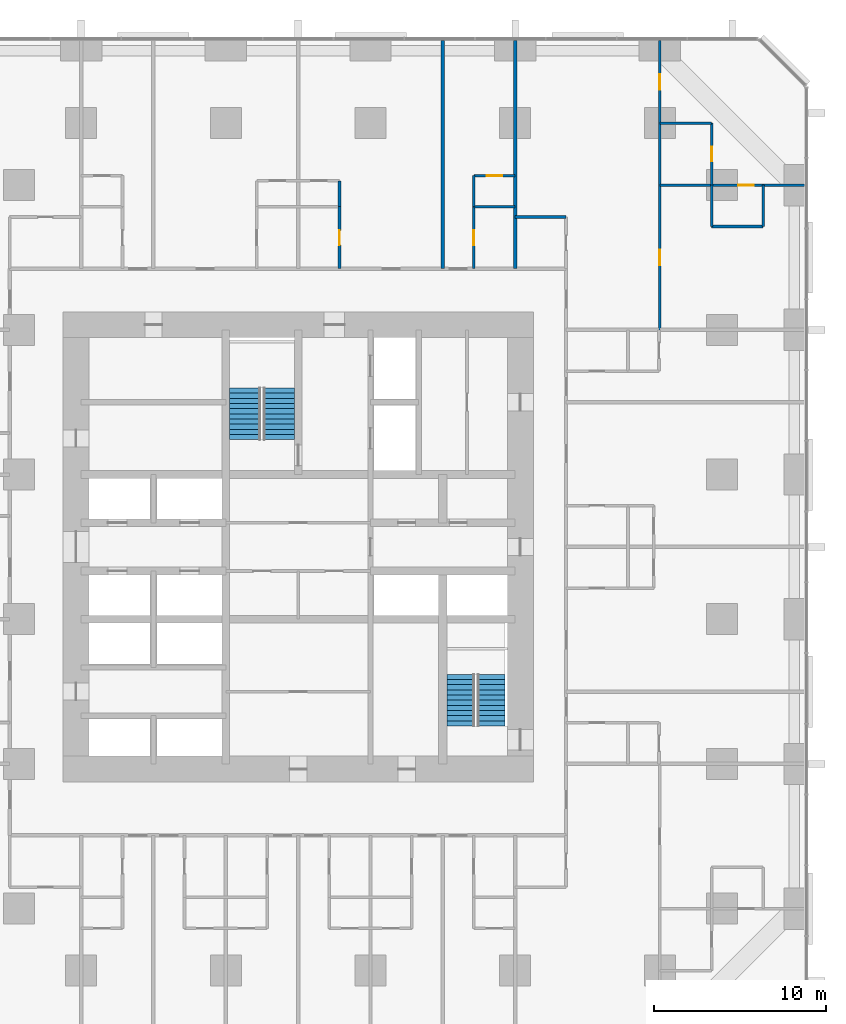
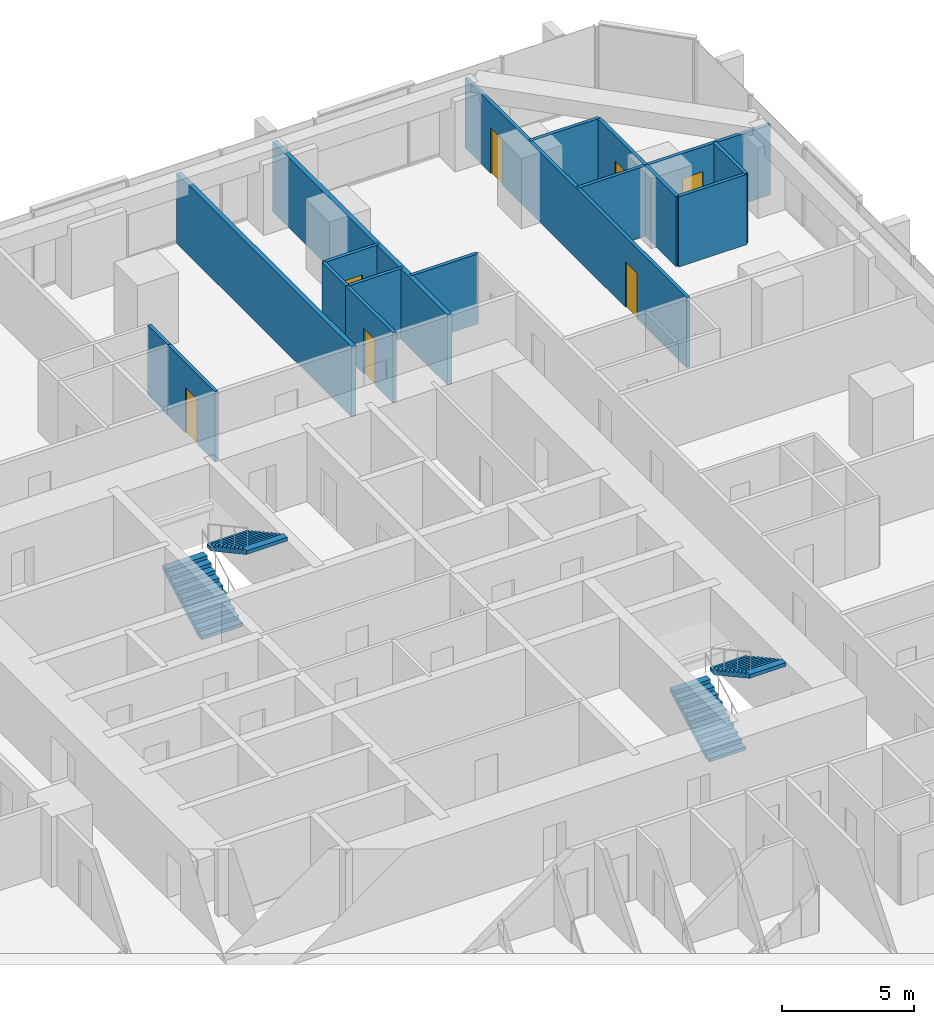
# One storey, part 16 of 17: 16 walls, 7 doors, 4 stair flights, 7 openings, 2 elements without a shape of their own.
"""IFC4 building model written with IfcOpenShell, lengths in metres."""

from ifc_helpers import new_model, si_unit, direction, frame, frame_2d, origin, place, context, subcontext, project, spatial, polyline, rectangle, outline, extrude, material, layer, layer_set, type_object, element, fill, aggregate, save


model = new_model("IFC4")

# Units and contexts
model_context = context("Model", 3, precision=1e-05, world=origin(), true_north=direction((0.0, 1.0)))
body_context = subcontext(model_context, "Body", "Model", "MODEL_VIEW")
ifc_project = project(units=[si_unit("LENGTHUNIT", "METRE"), si_unit("AREAUNIT", "SQUARE_METRE"), si_unit("VOLUMEUNIT", "CUBIC_METRE"), si_unit("PLANEANGLEUNIT", "RADIAN"), si_unit("MASSUNIT", "GRAM", prefix="KILO")], contexts=[model_context])

# Site, building, storey
site_placement = place(None, origin())
site = spatial("IfcSite", under=ifc_project, at=site_placement, CompositionType="ELEMENT")
building_placement = place(site_placement, origin())
building = spatial("IfcBuilding", under=site, at=building_placement, Name="Dunama Terrace Hotel", CompositionType="ELEMENT")
storey_placement = place(building_placement, frame((0.0, 0.0, 73.800048828125)))
storey = spatial("IfcBuildingStorey", under=building, at=storey_placement, Name="L18", CompositionType="ELEMENT", Elevation=73.800048828125)

# Wall, opening, door
ifc_material_1 = material(Name="Gypsum board partition", Category="masonry")
ifc_layer_1 = layer(ifc_material_1, 0.14990234375)
ifc_layer_set_1 = layer_set([ifc_layer_1], Name="Bathroom partition 150")
wall_type_1 = type_object("IfcWallType", Name="Bathroom partition 150", PredefinedType="PARTITIONING", material=ifc_layer_set_1)
wall_1_placement = place(storey_placement, frame((31.800048828125, 45.550048828125, 0.0), z_axis=(0.0, 0.0, 1.0), x_axis=(0.0, 1.0, 0.0)))
wall_1 = element("IfcWall", 1, at=wall_1_placement, inside=storey, type_object=wall_type_1, Name="Bathroom partition 150 L18", PredefinedType="PARTITIONING", context=body_context, shape_type="SweptSolid", body=[
    extrude(rectangle(XDim=3.599853515625, YDim=0.14990234375, at=frame_2d((1.7998046875, 0.0))), origin(), (0.0, 0.0, 1.0), 3.25),
])
opening_1_placement = place(wall_1_placement, frame((1.375, 0.0, 0.0)))
opening_1 = element("IfcOpeningElement", 2, at=opening_1_placement, cuts=wall_1, Name="Opening L17-19-046", PredefinedType="OPENING", context=body_context, shape_type="SweptSolid", body=[
    extrude(rectangle(XDim=0.85009765625, YDim=2.10009765625, at=frame_2d((0.425048828125, 1.050048828125))), frame((0.0, 0.0849609375, 0.0), z_axis=(0.0, -1.0, 0.0), x_axis=(1.0, 0.0, 0.0)), (0.0, 0.0, 1.0), 0.169921875),
])
ifc_material_2 = material(Name="Timber door with steel frame", Category="steel")
door_type_1 = type_object("IfcDoorType", Name="Bathroom door 850", OperationType="SINGLE_SWING_LEFT", PredefinedType="DOOR", material=ifc_material_2)
door_1_placement = place(opening_1_placement, origin())
door_1 = element("IfcDoor", 3, at=door_1_placement, inside=storey, type_object=door_type_1, Name="Door to en-suite bathroom L17-19-046, type D2", OperationType="SINGLE_SWING_LEFT", OverallHeight=2.10009765625, OverallWidth=0.85009765625, PredefinedType="DOOR", context=body_context, shape_type="SweptSolid", body=[
    extrude(rectangle(XDim=0.85009765625, YDim=2.10009765625, at=frame_2d((0.425048828125, 1.050048828125))), frame((0.0, 0.02490234375, 0.0), z_axis=(0.0, -1.0, 0.0), x_axis=(1.0, 0.0, 0.0)), (0.0, 0.0, 1.0), 0.050048828125),
])
fill(opening_1, door_1)

wall_2_placement = place(storey_placement, frame((39.60009765625, 45.550048828125, 0.0), z_axis=(0.0, 0.0, 1.0), x_axis=(0.0, 1.0, 0.0)))
wall_2 = element("IfcWall", 4, at=wall_2_placement, inside=storey, type_object=wall_type_1, Name="Bathroom partition 150 L18", PredefinedType="PARTITIONING", context=body_context, shape_type="SweptSolid", body=[
    extrude(rectangle(XDim=3.599853515625, YDim=0.14990234375, at=frame_2d((1.7998046875, 0.0))), origin(), (0.0, 0.0, 1.0), 3.25),
])
opening_2_placement = place(wall_2_placement, frame((1.375, 0.0, 0.0)))
opening_2 = element("IfcOpeningElement", 5, at=opening_2_placement, cuts=wall_2, Name="Opening L17-19-049", PredefinedType="OPENING", context=body_context, shape_type="SweptSolid", body=[
    extrude(rectangle(XDim=0.85009765625, YDim=2.10009765625, at=frame_2d((0.425048828125, 1.050048828125))), frame((0.0, 0.0849609375, 0.0), z_axis=(0.0, -1.0, 0.0), x_axis=(1.0, 0.0, 0.0)), (0.0, 0.0, 1.0), 0.169921875),
])
door_2_placement = place(opening_2_placement, frame((0.85009765625, 0.0, 0.0), z_axis=(0.0, 0.0, 1.0), x_axis=(-1.0, 0.0, 0.0)))
door_2 = element("IfcDoor", 6, at=door_2_placement, inside=storey, type_object=door_type_1, Name="Door to en-suite bathroom L17-19-049, type D2", OperationType="SINGLE_SWING_RIGHT", OverallHeight=2.10009765625, OverallWidth=0.85009765625, PredefinedType="DOOR", context=body_context, shape_type="SweptSolid", body=[
    extrude(rectangle(XDim=0.85009765625, YDim=2.10009765625, at=frame_2d((0.425048828125, 1.050048828125))), frame((0.0, 0.025146484375, 0.0), z_axis=(0.0, -1.0, 0.0), x_axis=(1.0, 0.0, 0.0)), (0.0, 0.0, 1.0), 0.050048828125),
])
fill(opening_2, door_2)

wall_3_placement = place(storey_placement, frame((53.39990234375, 50.39990234375, 0.0), z_axis=(0.0, 0.0, 1.0), x_axis=(0.0, 1.0, 0.0)))
wall_3 = element("IfcWall", 7, at=wall_3_placement, inside=storey, type_object=wall_type_1, Name="Bathroom partition 150 L18", PredefinedType="PARTITIONING", context=body_context, shape_type="SweptSolid", body=[
    extrude(rectangle(XDim=3.60009765625, YDim=0.14990234375, at=frame_2d((1.800048828125, 0.0))), origin(), (0.0, 0.0, 1.0), 3.25),
])
opening_3_placement = place(wall_3_placement, frame((1.375, 0.0, 0.0)))
opening_3 = element("IfcOpeningElement", 8, at=opening_3_placement, cuts=wall_3, Name="Opening L17-19-075", PredefinedType="OPENING", context=body_context, shape_type="SweptSolid", body=[
    extrude(rectangle(XDim=0.85009765625, YDim=2.10009765625, at=frame_2d((0.425048828125, 1.050048828125))), frame((0.0, 0.0849609375, 0.0), z_axis=(0.0, -1.0, 0.0), x_axis=(1.0, 0.0, 0.0)), (0.0, 0.0, 1.0), 0.169921875),
])
door_3_placement = place(opening_3_placement, origin())
door_3 = element("IfcDoor", 9, at=door_3_placement, inside=storey, type_object=door_type_1, Name="Door to en-suite bathroom L17-19-075, type D2", OperationType="SINGLE_SWING_LEFT", OverallHeight=2.10009765625, OverallWidth=0.85009765625, PredefinedType="DOOR", context=body_context, shape_type="SweptSolid", body=[
    extrude(rectangle(XDim=0.85009765625, YDim=2.10009765625, at=frame_2d((0.425048828125, 1.050048828125))), frame((0.0, 0.02490234375, 0.0), z_axis=(0.0, -1.0, 0.0), x_axis=(1.0, 0.0, 0.0)), (0.0, 0.0, 1.0), 0.050048828125),
])
fill(opening_3, door_3)

# Walls
wall_4_placement = place(storey_placement, frame((42.0, 48.550048828125, 0.0), z_axis=(0.0, 0.0, 1.0), x_axis=(1.0, 0.0, 0.0)))
element("IfcWall", 10, at=wall_4_placement, inside=storey, type_object=wall_type_1, Name="Bathroom partition 150 L18", PredefinedType="PARTITIONING", context=body_context, shape_type="SweptSolid", body=[
    extrude(rectangle(XDim=2.949951171875, YDim=0.14990234375, at=frame_2d((1.47509765625, 0.0))), origin(), (0.0, 0.0, 1.0), 3.25),
])
wall_5_placement = place(storey_placement, frame((50.39990234375, 54.0, 0.0), z_axis=(0.0, 0.0, 1.0), x_axis=(1.0, 0.0, 0.0)))
element("IfcWall", 11, at=wall_5_placement, inside=storey, type_object=wall_type_1, Name="Bathroom partition 150 L18", PredefinedType="PARTITIONING", context=body_context, shape_type="SweptSolid", body=[
    extrude(rectangle(XDim=3.0, YDim=0.14990234375, at=frame_2d((1.5, 0.0))), origin(), (0.0, 0.0, 1.0), 3.25),
])
ifc_material_3 = material(Name="Concrete blockwork", Category="masonry")
ifc_layer_2 = layer(ifc_material_3, 0.199951171875)
ifc_layer_set_2 = layer_set([ifc_layer_2], Name="Party wall 200")
wall_type_2 = type_object("IfcWallType", Name="Party wall 200", PredefinedType="PARTITIONING", material=ifc_layer_set_2)
for number, where, z_axis, x_axis, name in (
    (12, (37.800048828125, 45.550048828125, 0.0), (0.0, 0.0, 1.0), (0.0, 1.0, 0.0), "Party wall 200 L18"),
    (13, (42.0, 45.550048828125, 0.0), (0.0, 0.0, 1.0), (0.0, 1.0, 0.0), "Party wall 200 L18"),
):
    element("IfcWall", number, at=place(storey_placement, frame(where, z_axis=z_axis, x_axis=x_axis)), inside=storey, type_object=wall_type_2, Name=name, PredefinedType="PARTITIONING", context=body_context, shape_type="SweptSolid", body=[
        extrude(rectangle(XDim=13.258056640625, YDim=0.199951171875, at=frame_2d((6.62890625, 0.0))), origin(), (0.0, 0.0, 1.0), 3.25),
    ])
ifc_material_4 = material(Name="Gypsum board partition", Category="masonry")
ifc_layer_3 = layer(ifc_material_4, 0.14990234375)
ifc_layer_set_3 = layer_set([ifc_layer_3], Name="Room partition 150")
wall_type_3 = type_object("IfcWallType", Name="Room partition 150", PredefinedType="PARTITIONING", material=ifc_layer_set_3)
wall_6_placement = place(storey_placement, frame((31.800048828125, 49.14990234375, 0.0), z_axis=(0.0, 0.0, 1.0), x_axis=(0.0, 1.0, 0.0)))
element("IfcWall", 14, at=wall_6_placement, inside=storey, type_object=wall_type_3, Name="Room partition 150 L18", PredefinedType="PARTITIONING", context=body_context, shape_type="SweptSolid", body=[
    extrude(rectangle(XDim=1.5, YDim=0.14990234375, at=frame_2d((0.75, 0.0))), origin(), (0.0, 0.0, 1.0), 3.25),
])
wall_7_placement = place(storey_placement, frame((39.60009765625, 49.14990234375, 0.0), z_axis=(0.0, 0.0, 1.0), x_axis=(0.0, 1.0, 0.0)))
element("IfcWall", 15, at=wall_7_placement, inside=storey, type_object=wall_type_3, Name="Room partition 150 L18", PredefinedType="PARTITIONING", context=body_context, shape_type="SweptSolid", body=[
    extrude(rectangle(XDim=1.800048828125, YDim=0.14990234375, at=frame_2d((0.89990234375, 0.0))), origin(), (0.0, 0.0, 1.0), 3.25),
])

# Wall, openings, doors
wall_8_placement = place(storey_placement, frame((50.39990234375, 42.0, 0.0), z_axis=(0.0, 0.0, 1.0), x_axis=(0.0, 1.0, 0.0)))
wall_8 = element("IfcWall", 16, at=wall_8_placement, inside=storey, type_object=wall_type_3, Name="Room partition 150 L18", PredefinedType="PARTITIONING", context=body_context, shape_type="SweptSolid", body=[
    extrude(rectangle(XDim=16.80810546875, YDim=0.14990234375, at=frame_2d((8.404052734375, 0.0))), origin(), (0.0, 0.0, 1.0), 3.25),
])
opening_4_placement = place(wall_8_placement, frame((13.949951171875, 0.0, 0.0)))
opening_4 = element("IfcOpeningElement", 17, at=opening_4_placement, cuts=wall_8, Name="Opening L17-19-074", PredefinedType="OPENING", context=body_context, shape_type="SweptSolid", body=[
    extrude(rectangle(XDim=0.89990234375, YDim=2.10009765625, at=frame_2d((0.449951171875, 1.050048828125))), frame((0.0, 0.0849609375, 0.0), z_axis=(0.0, -1.0, 0.0), x_axis=(1.0, 0.0, 0.0)), (0.0, 0.0, 1.0), 0.169921875),
])
opening_5_placement = place(wall_8_placement, frame((3.75, 0.0, 0.0)))
opening_5 = element("IfcOpeningElement", 18, at=opening_5_placement, cuts=wall_8, Name="Opening L17-19-077", PredefinedType="OPENING", context=body_context, shape_type="SweptSolid", body=[
    extrude(rectangle(XDim=0.89990234375, YDim=2.10009765625, at=frame_2d((0.449951171875, 1.050048828125))), frame((0.0, 0.0849609375, 0.0), z_axis=(0.0, -1.0, 0.0), x_axis=(1.0, 0.0, 0.0)), (0.0, 0.0, 1.0), 0.169921875),
])
ifc_material_5 = material(Name="Timber door with steel frame", Category="steel")
door_type_2 = type_object("IfcDoorType", Name="Suite internal door 900", OperationType="SINGLE_SWING_LEFT", PredefinedType="DOOR", material=ifc_material_5)
door_4_placement = place(opening_4_placement, frame((0.89990234375, 0.0, 0.0), z_axis=(0.0, 0.0, 1.0), x_axis=(-1.0, 0.0, 0.0)))
door_4 = element("IfcDoor", 19, at=door_4_placement, inside=storey, type_object=door_type_2, Name="Door to corner suite bedroom L17-19-074, type D16", OperationType="SINGLE_SWING_LEFT", OverallHeight=2.10009765625, OverallWidth=0.89990234375, PredefinedType="DOOR", context=body_context, shape_type="SweptSolid", body=[
    extrude(rectangle(XDim=0.89990234375, YDim=2.10009765625, at=frame_2d((0.449951171875, 1.050048828125))), frame((0.0, 0.025146484375, 0.0), z_axis=(0.0, -1.0, 0.0), x_axis=(1.0, 0.0, 0.0)), (0.0, 0.0, 1.0), 0.050048828125),
])
fill(opening_4, door_4)
door_5_placement = place(opening_5_placement, frame((0.89990234375, 0.0, 0.0), z_axis=(0.0, 0.0, 1.0), x_axis=(-1.0, 0.0, 0.0)))
door_5 = element("IfcDoor", 20, at=door_5_placement, inside=storey, type_object=door_type_2, Name="Door to corner suite study L17-19-077, type D16", OperationType="SINGLE_SWING_LEFT", OverallHeight=2.10009765625, OverallWidth=0.89990234375, PredefinedType="DOOR", context=body_context, shape_type="SweptSolid", body=[
    extrude(rectangle(XDim=0.89990234375, YDim=2.10009765625, at=frame_2d((0.449951171875, 1.050048828125))), frame((0.0, 0.025146484375, 0.0), z_axis=(0.0, -1.0, 0.0), x_axis=(1.0, 0.0, 0.0)), (0.0, 0.0, 1.0), 0.050048828125),
])
fill(opening_5, door_5)

# Walls
for number, where, z_axis, x_axis, name in (
    (21, (53.39990234375, 48.0, 0.0), (0.0, 0.0, 1.0), (0.0, 1.0, 0.0), "Room partition 150 L18"),
    (22, (56.39990234375, 48.0, 0.0), (0.0, 0.0, 1.0), (0.0, 1.0, 0.0), "Room partition 150 L18"),
):
    element("IfcWall", number, at=place(storey_placement, frame(where, z_axis=z_axis, x_axis=x_axis)), inside=storey, type_object=wall_type_3, Name=name, PredefinedType="PARTITIONING", context=body_context, shape_type="SweptSolid", body=[
        extrude(rectangle(XDim=2.39990234375, YDim=0.14990234375, at=frame_2d((1.199951171875, 0.0))), origin(), (0.0, 0.0, 1.0), 3.25),
    ])
wall_9_placement = place(storey_placement, frame((53.39990234375, 48.0, 0.0), z_axis=(0.0, 0.0, 1.0), x_axis=(1.0, 0.0, 0.0)))
element("IfcWall", 23, at=wall_9_placement, inside=storey, type_object=wall_type_3, Name="Room partition 150 L18", PredefinedType="PARTITIONING", context=body_context, shape_type="SweptSolid", body=[
    extrude(rectangle(XDim=3.0, YDim=0.14990234375, at=frame_2d((1.5, 0.0))), origin(), (0.0, 0.0, 1.0), 3.25),
])
wall_10_placement = place(storey_placement, frame((39.60009765625, 49.14990234375, 0.0), z_axis=(0.0, 0.0, 1.0), x_axis=(1.0, 0.0, 0.0)))
element("IfcWall", 24, at=wall_10_placement, inside=storey, type_object=wall_type_3, Name="Room partition 150 L18", PredefinedType="PARTITIONING", context=body_context, shape_type="SweptSolid", body=[
    extrude(rectangle(XDim=2.39990234375, YDim=0.14990234375, at=frame_2d((1.199951171875, 0.0))), origin(), (0.0, 0.0, 1.0), 3.25),
])

# Wall, opening, door
wall_11_placement = place(storey_placement, frame((50.39990234375, 50.39990234375, 0.0), z_axis=(0.0, 0.0, 1.0), x_axis=(1.0, 0.0, 0.0)))
wall_11 = element("IfcWall", 25, at=wall_11_placement, inside=storey, type_object=wall_type_3, Name="Room partition 150 L18", PredefinedType="PARTITIONING", context=body_context, shape_type="SweptSolid", body=[
    extrude(rectangle(XDim=8.408203125, YDim=0.14990234375, at=frame_2d((4.2041015625, 0.0))), origin(), (0.0, 0.0, 1.0), 3.25),
])
opening_6_placement = place(wall_11_placement, frame((4.550048828125, 0.0, 0.0)))
opening_6 = element("IfcOpeningElement", 26, at=opening_6_placement, cuts=wall_11, Name="Opening L17-19-076", PredefinedType="OPENING", context=body_context, shape_type="SweptSolid", body=[
    extrude(rectangle(XDim=0.89990234375, YDim=2.10009765625, at=frame_2d((0.449951171875, 1.050048828125))), frame((0.0, 0.0849609375, 0.0), z_axis=(0.0, -1.0, 0.0), x_axis=(1.0, 0.0, 0.0)), (0.0, 0.0, 1.0), 0.169921875),
])
door_6_placement = place(opening_6_placement, frame((0.89990234375, 0.0, 0.0), z_axis=(0.0, 0.0, 1.0), x_axis=(-1.0, 0.0, 0.0)))
door_6 = element("IfcDoor", 27, at=door_6_placement, inside=storey, type_object=door_type_2, Name="Door to dressing room L17-19-076, type D16", OperationType="SINGLE_SWING_RIGHT", OverallHeight=2.10009765625, OverallWidth=0.89990234375, PredefinedType="DOOR", context=body_context, shape_type="SweptSolid", body=[
    extrude(rectangle(XDim=0.89990234375, YDim=2.10009765625, at=frame_2d((0.449951171875, 1.050048828125))), frame((0.0, 0.025146484375, 0.0), z_axis=(0.0, -1.0, 0.0), x_axis=(1.0, 0.0, 0.0)), (0.0, 0.0, 1.0), 0.050048828125),
])
fill(opening_6, door_6)

wall_12_placement = place(storey_placement, frame((39.60009765625, 50.949951171875, 0.0), z_axis=(0.0, 0.0, 1.0), x_axis=(1.0, 0.0, 0.0)))
wall_12 = element("IfcWall", 28, at=wall_12_placement, inside=storey, type_object=wall_type_3, Name="Room partition 150 L18", PredefinedType="PARTITIONING", context=body_context, shape_type="SweptSolid", body=[
    extrude(rectangle(XDim=2.39990234375, YDim=0.14990234375, at=frame_2d((1.199951171875, 0.0))), origin(), (0.0, 0.0, 1.0), 3.25),
])
opening_7_placement = place(wall_12_placement, frame((0.75, 0.0, 0.0)))
opening_7 = element("IfcOpeningElement", 29, at=opening_7_placement, cuts=wall_12, Name="Opening L17-19-050", PredefinedType="OPENING", context=body_context, shape_type="SweptSolid", body=[
    extrude(rectangle(XDim=0.89990234375, YDim=2.10009765625, at=frame_2d((0.449951171875, 1.050048828125))), frame((0.0, 0.0849609375, 0.0), z_axis=(0.0, -1.0, 0.0), x_axis=(1.0, 0.0, 0.0)), (0.0, 0.0, 1.0), 0.169921875),
])
door_7_placement = place(opening_7_placement, frame((0.89990234375, 0.0, 0.0), z_axis=(0.0, 0.0, 1.0), x_axis=(-1.0, 0.0, 0.0)))
door_7 = element("IfcDoor", 30, at=door_7_placement, inside=storey, type_object=door_type_2, Name="Door to walk-in wardrobe L17-19-050, type D16", OperationType="SINGLE_SWING_LEFT", OverallHeight=2.10009765625, OverallWidth=0.89990234375, PredefinedType="DOOR", context=body_context, shape_type="SweptSolid", body=[
    extrude(rectangle(XDim=0.89990234375, YDim=2.10009765625, at=frame_2d((0.449951171875, 1.050048828125))), frame((0.0, 0.025146484375, 0.0), z_axis=(0.0, -1.0, 0.0), x_axis=(1.0, 0.0, 0.0)), (0.0, 0.0, 1.0), 0.050048828125),
])
fill(opening_7, door_7)

# Stair, stair flights
ifc_material_6 = material(Name="Concrete C40/50", Category="concrete")
stair_type_1 = type_object("IfcStairType", Name="Stair ST1-3600-1800", PredefinedType="HALF_TURN_STAIR", material=ifc_material_6)
stair_1_placement = place(storey_placement, origin())
stair_1 = element("IfcStair", 31, at=stair_1_placement, inside=storey, type_object=stair_type_1, Name="Stair ST1 L18", PredefinedType="HALF_TURN_STAIR")
ifc_material_7 = material(Name="Concrete C40/50", Category="concrete")
stair_flight_type_1 = type_object("IfcStairFlightType", Name="Stair flight ST1-3600-1800", PredefinedType="STRAIGHT", material=ifc_material_7)
stair_flight_1_placement = place(storey_placement, frame((26.324951171875, 35.625, 0.0), z_axis=(0.0, 0.0, 1.0), x_axis=(0.0, 1.0, 0.0)))
stair_flight_1 = element("IfcStairFlight", 32, at=stair_flight_1_placement, type_object=stair_flight_type_1, Name="ST1 flight 1", NumberOfRisers=11, NumberOfTreads=10, PredefinedType="STRAIGHT", RiserHeight=0.163636364, TreadLength=0.3, context=body_context, shape_type="SweptSolid", body=[
    extrude(outline(polyline([(0.0, 0.0), (0.0, 0.16357421875), (0.300048828125, 0.16357421875), (0.300048828125, 0.327392578125), (0.60009765625, 0.327392578125), (0.60009765625, 0.490966796875), (0.89990234375, 0.490966796875), (0.89990234375, 0.654541015625), (1.199951171875, 0.654541015625), (1.199951171875, 0.818115234375), (1.5, 0.818115234375), (1.5, 0.98193359375), (1.800048828125, 0.98193359375), (1.800048828125, 1.1455078125), (2.10009765625, 1.1455078125), (2.10009765625, 1.30908203125), (2.39990234375, 1.30908203125), (2.39990234375, 1.47265625), (2.699951171875, 1.47265625), (2.699951171875, 1.636474609375), (3.0, 1.636474609375), (3.0, 1.800048828125), (3.0, 1.465576171875), (0.31298828125, 0.0), (0.0, 0.0)])), frame((0.0, 0.89990234375, 0.0), z_axis=(0.0, -1.0, 0.0), x_axis=(1.0, 0.0, 0.0)), (0.0, 0.0, 1.0), 1.800048828125),
])
stair_flight_2_placement = place(storey_placement, frame((28.27490234375, 38.625, 1.800048828125), z_axis=(0.0, 0.0, 1.0), x_axis=(0.0, -1.0, 0.0)))
stair_flight_2 = element("IfcStairFlight", 33, at=stair_flight_2_placement, type_object=stair_flight_type_1, Name="ST1 flight 2", NumberOfRisers=11, NumberOfTreads=10, PredefinedType="STRAIGHT", RiserHeight=0.163636364, TreadLength=0.3, context=body_context, shape_type="SweptSolid", body=[
    extrude(outline(polyline([(0.0, 0.0), (0.0, 0.16357421875), (0.300048828125, 0.16357421875), (0.300048828125, 0.327392578125), (0.60009765625, 0.327392578125), (0.60009765625, 0.490966796875), (0.89990234375, 0.490966796875), (0.89990234375, 0.654541015625), (1.199951171875, 0.654541015625), (1.199951171875, 0.818115234375), (1.5, 0.818115234375), (1.5, 0.98193359375), (1.800048828125, 0.98193359375), (1.800048828125, 1.1455078125), (2.10009765625, 1.1455078125), (2.10009765625, 1.30908203125), (2.39990234375, 1.30908203125), (2.39990234375, 1.47265625), (2.699951171875, 1.47265625), (2.699951171875, 1.636474609375), (3.0, 1.636474609375), (3.0, 1.800048828125), (3.0, 1.465576171875), (0.31298828125, 0.0), (0.0, 0.0)])), frame((0.0, 0.89990234375, 0.0), z_axis=(0.0, -1.0, 0.0), x_axis=(1.0, 0.0, 0.0)), (0.0, 0.0, 1.0), 1.800048828125),
])
aggregate(stair_1, [stair_flight_1, stair_flight_2])

ifc_material_8 = material(Name="Concrete C40/50", Category="concrete")
stair_type_2 = type_object("IfcStairType", Name="Stair ST2-3600-1600", PredefinedType="HALF_TURN_STAIR", material=ifc_material_8)
stair_2_placement = place(storey_placement, origin())
stair_2 = element("IfcStair", 34, at=stair_2_placement, inside=storey, type_object=stair_type_2, Name="Stair ST2 L18", PredefinedType="HALF_TURN_STAIR")
ifc_material_9 = material(Name="Concrete C40/50", Category="concrete")
stair_flight_type_2 = type_object("IfcStairFlightType", Name="Stair flight ST2-3600-1600", PredefinedType="STRAIGHT", material=ifc_material_9)
stair_flight_3_placement = place(storey_placement, frame((38.85009765625, 19.0, 0.0), z_axis=(0.0, 0.0, 1.0), x_axis=(0.0, 1.0, 0.0)))
stair_flight_3 = element("IfcStairFlight", 35, at=stair_flight_3_placement, type_object=stair_flight_type_2, Name="ST2 flight 1", NumberOfRisers=11, NumberOfTreads=10, PredefinedType="STRAIGHT", RiserHeight=0.163636364, TreadLength=0.3, context=body_context, shape_type="SweptSolid", body=[
    extrude(outline(polyline([(0.0, 0.0), (0.0, 0.16357421875), (0.300048828125, 0.16357421875), (0.300048828125, 0.327392578125), (0.60009765625, 0.327392578125), (0.60009765625, 0.490966796875), (0.89990234375, 0.490966796875), (0.89990234375, 0.654541015625), (1.199951171875, 0.654541015625), (1.199951171875, 0.818115234375), (1.5, 0.818115234375), (1.5, 0.98193359375), (1.800048828125, 0.98193359375), (1.800048828125, 1.1455078125), (2.10009765625, 1.1455078125), (2.10009765625, 1.30908203125), (2.39990234375, 1.30908203125), (2.39990234375, 1.47265625), (2.699951171875, 1.47265625), (2.699951171875, 1.636474609375), (3.0, 1.636474609375), (3.0, 1.800048828125), (3.0, 1.465576171875), (0.31298828125, 0.0), (0.0, 0.0)])), frame((0.0, 0.800048828125, 0.0), z_axis=(0.0, -1.0, 0.0), x_axis=(1.0, 0.0, 0.0)), (0.0, 0.0, 1.0), 1.60009765625),
])
stair_flight_4_placement = place(storey_placement, frame((40.60009765625, 22.0, 1.800048828125), z_axis=(0.0, 0.0, 1.0), x_axis=(0.0, -1.0, 0.0)))
stair_flight_4 = element("IfcStairFlight", 36, at=stair_flight_4_placement, type_object=stair_flight_type_2, Name="ST2 flight 2", NumberOfRisers=11, NumberOfTreads=10, PredefinedType="STRAIGHT", RiserHeight=0.163636364, TreadLength=0.3, context=body_context, shape_type="SweptSolid", body=[
    extrude(outline(polyline([(0.0, 0.0), (0.0, 0.16357421875), (0.300048828125, 0.16357421875), (0.300048828125, 0.327392578125), (0.60009765625, 0.327392578125), (0.60009765625, 0.490966796875), (0.89990234375, 0.490966796875), (0.89990234375, 0.654541015625), (1.199951171875, 0.654541015625), (1.199951171875, 0.818115234375), (1.5, 0.818115234375), (1.5, 0.98193359375), (1.800048828125, 0.98193359375), (1.800048828125, 1.1455078125), (2.10009765625, 1.1455078125), (2.10009765625, 1.30908203125), (2.39990234375, 1.30908203125), (2.39990234375, 1.47265625), (2.699951171875, 1.47265625), (2.699951171875, 1.636474609375), (3.0, 1.636474609375), (3.0, 1.800048828125), (3.0, 1.465576171875), (0.31298828125, 0.0), (0.0, 0.0)])), frame((0.0, 0.800048828125, 0.0), z_axis=(0.0, -1.0, 0.0), x_axis=(1.0, 0.0, 0.0)), (0.0, 0.0, 1.0), 1.60009765625),
])
aggregate(stair_2, [stair_flight_3, stair_flight_4])

save(model, "model.ifc")
